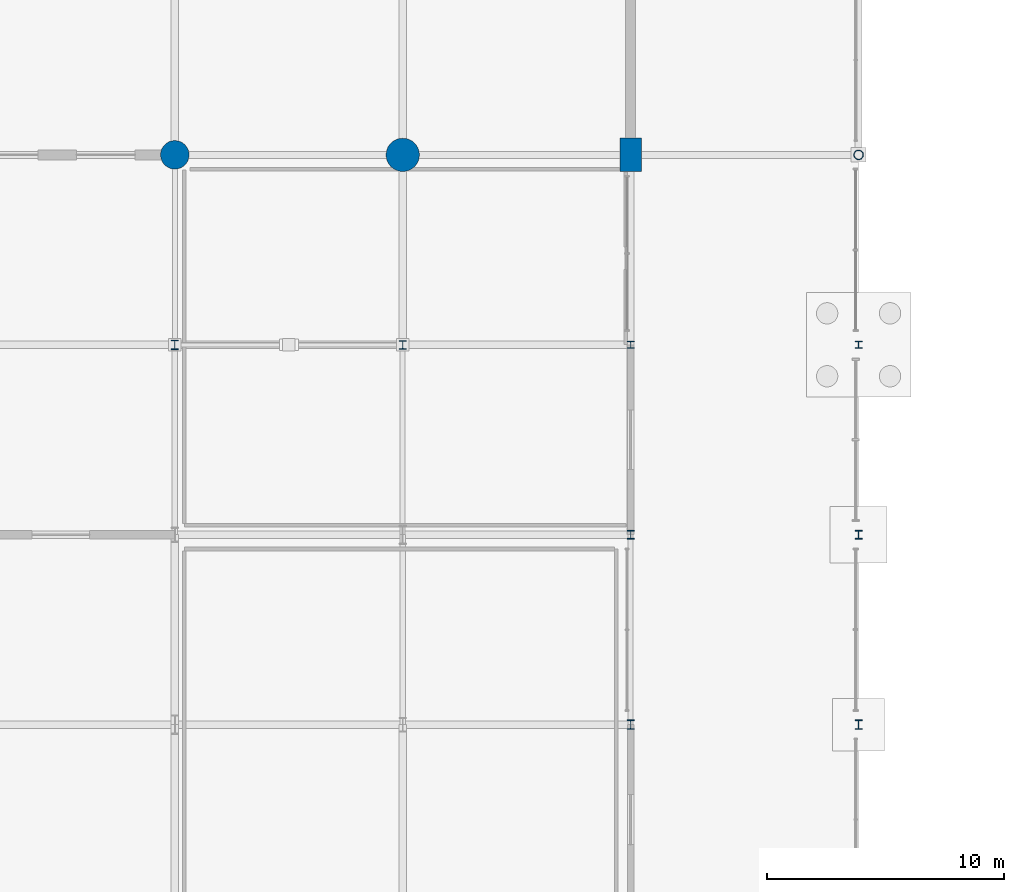
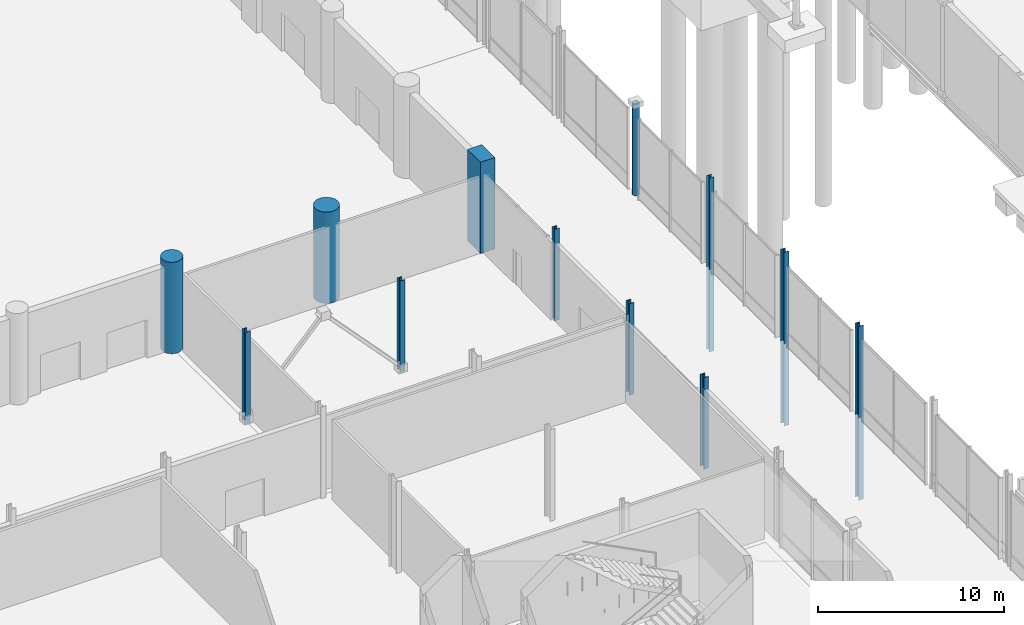
# One storey, part 13 of 124: 12 columns.
"""IFC4 building model written with IfcOpenShell, lengths in metres."""

from ifc_helpers import new_model, si_unit, direction, frame, origin, origin_2d, place, context, subcontext, project, spatial, rectangle, circle, hollow_circle, i_section, extrude, material, material_profile, profile_set, type_object, element, save


model = new_model("IFC4")

# Units and contexts
model_context = context("Model", 3, precision=1e-05, world=origin(), true_north=direction((0.0, 1.0)))
body_context = subcontext(model_context, "Body", "Model", "MODEL_VIEW")
ifc_project = project(units=[si_unit("LENGTHUNIT", "METRE"), si_unit("AREAUNIT", "SQUARE_METRE"), si_unit("VOLUMEUNIT", "CUBIC_METRE"), si_unit("PLANEANGLEUNIT", "RADIAN"), si_unit("MASSUNIT", "GRAM", prefix="KILO")], contexts=[model_context])

# Site, building, storey
site_placement = place(None, origin())
site = spatial("IfcSite", under=ifc_project, at=site_placement, CompositionType="ELEMENT")
building_placement = place(site_placement, origin())
building = spatial("IfcBuilding", under=site, at=building_placement, Name="Danafjord Basin Convention Centre", CompositionType="ELEMENT")
storey_placement = place(building_placement, origin())
storey = spatial("IfcBuildingStorey", under=building, at=storey_placement, Name="L00", CompositionType="ELEMENT", Elevation=0.0)

# Columns
ifc_material_1 = material(Name="Steel S355", Category="steel")
ifc_material_profile_1 = material_profile(ifc_material_1, hollow_circle(Radius=0.203125, WallThickness=0.02001953125, at=origin_2d()), Name="CHS 406.4x20.0")
ifc_profile_set_1 = profile_set([ifc_material_profile_1], Name="Steel S355")
column_type_1 = type_object("IfcColumnType", Name="COL-C-CHS406", PredefinedType="COLUMN", material=ifc_profile_set_1)
column_1_placement = place(storey_placement, frame((124.800048828125, 56.0, 0.0), z_axis=(0.0, 0.0, 1.0), x_axis=(1.0, 0.0, 0.0)))
element("IfcColumn", 1, at=column_1_placement, inside=storey, type_object=column_type_1, Name="L00 column C-CHS406 at (124.8, 56.0)", PredefinedType="COLUMN", context=body_context, shape_type="SweptSolid", body=[
    extrude(hollow_circle(Radius=0.203125, WallThickness=0.02001953125, at=origin_2d()), origin(), (0.0, 0.0, 1.0), 6.0),
])
ifc_material_profile_2 = material_profile(ifc_material_1, i_section(OverallWidth=0.300048828125, OverallDepth=0.300048828125, WebThickness=0.010986328125, FlangeThickness=0.01904296875, FilletRadius=0.027099609375, at=origin_2d()), Name="HEB 300")
ifc_profile_set_2 = profile_set([ifc_material_profile_2], Name="Steel S355")
column_type_2 = type_object("IfcColumnType", Name="COL-C-HEB300", PredefinedType="COLUMN", material=ifc_profile_set_2)
column_2_placement = place(storey_placement, frame((115.199951171875, 48.0, 0.0), z_axis=(0.0, 0.0, 1.0), x_axis=(1.0, 0.0, 0.0)))
element("IfcColumn", 2, at=column_2_placement, inside=storey, type_object=column_type_2, Name="L00 column C-HEB300 at (115.2, 48.0)", PredefinedType="COLUMN", context=body_context, shape_type="SweptSolid", body=[
    extrude(i_section(OverallWidth=0.300048828125, OverallDepth=0.300048828125, WebThickness=0.010986328125, FlangeThickness=0.01904296875, FilletRadius=0.027099609375, at=origin_2d()), origin(), (0.0, 0.0, 1.0), 6.0),
])
column_3_placement = place(storey_placement, frame((124.800048828125, 48.0, -5.39990234375), z_axis=(0.0, 0.0, 1.0), x_axis=(1.0, 0.0, 0.0)))
element("IfcColumn", 3, at=column_3_placement, inside=storey, type_object=column_type_2, Name="L00 column C-HEB300 at (124.8, 48.0)", PredefinedType="COLUMN", context=body_context, shape_type="SweptSolid", body=[
    extrude(i_section(OverallWidth=0.300048828125, OverallDepth=0.300048828125, WebThickness=0.010986328125, FlangeThickness=0.01904296875, FilletRadius=0.027099609375, at=origin_2d()), origin(), (0.0, 0.0, 1.0), 11.39990234375),
])
ifc_material_profile_3 = material_profile(ifc_material_1, i_section(OverallWidth=0.300048828125, OverallDepth=0.360107421875, WebThickness=0.012451171875, FlangeThickness=0.0224609375, FilletRadius=0.027099609375, at=origin_2d()), Name="HEB 360")
ifc_profile_set_3 = profile_set([ifc_material_profile_3], Name="Steel S355")
column_type_3 = type_object("IfcColumnType", Name="COL-C-HEB360", PredefinedType="COLUMN", material=ifc_profile_set_3)
for number, where, z_axis, x_axis, name in (
    (4, (105.60009765625, 48.0, 0.0), (0.0, 0.0, 1.0), (1.0, 0.0, 0.0), "L00 column C-HEB360 at (105.6, 48.0)"),
    (5, (115.199951171875, 40.0, 0.0), (0.0, 0.0, 1.0), (1.0, 0.0, 0.0), "L00 column C-HEB360 at (115.2, 40.0)"),
):
    element("IfcColumn", number, at=place(storey_placement, frame(where, z_axis=z_axis, x_axis=x_axis)), inside=storey, type_object=column_type_3, Name=name, PredefinedType="COLUMN", context=body_context, shape_type="SweptSolid", body=[
        extrude(i_section(OverallWidth=0.300048828125, OverallDepth=0.360107421875, WebThickness=0.012451171875, FlangeThickness=0.0224609375, FilletRadius=0.027099609375, at=origin_2d()), origin(), (0.0, 0.0, 1.0), 6.0),
    ])
column_4_placement = place(storey_placement, frame((124.800048828125, 40.0, -5.39990234375), z_axis=(0.0, 0.0, 1.0), x_axis=(1.0, 0.0, 0.0)))
element("IfcColumn", 6, at=column_4_placement, inside=storey, type_object=column_type_3, Name="L00 column C-HEB360 at (124.8, 40.0)", PredefinedType="COLUMN", context=body_context, shape_type="SweptSolid", body=[
    extrude(i_section(OverallWidth=0.300048828125, OverallDepth=0.360107421875, WebThickness=0.012451171875, FlangeThickness=0.0224609375, FilletRadius=0.027099609375, at=origin_2d()), origin(), (0.0, 0.0, 1.0), 11.39990234375),
])
ifc_material_profile_4 = material_profile(ifc_material_1, i_section(OverallWidth=0.300048828125, OverallDepth=0.39990234375, WebThickness=0.013427734375, FlangeThickness=0.02392578125, FilletRadius=0.027099609375, at=origin_2d()), Name="HEB 400")
ifc_profile_set_4 = profile_set([ifc_material_profile_4], Name="Steel S355")
column_type_4 = type_object("IfcColumnType", Name="COL-C-HEB400", PredefinedType="COLUMN", material=ifc_profile_set_4)
for number, where, z_axis, x_axis, name in (
    (7, (96.0, 48.0, 0.0), (0.0, 0.0, 1.0), (1.0, 0.0, 0.0), "L00 column C-HEB400 at (96.0, 48.0)"),
    (8, (115.199951171875, 32.0, 0.0), (0.0, 0.0, 1.0), (1.0, 0.0, 0.0), "L00 column C-HEB400 at (115.2, 32.0)"),
):
    element("IfcColumn", number, at=place(storey_placement, frame(where, z_axis=z_axis, x_axis=x_axis)), inside=storey, type_object=column_type_4, Name=name, PredefinedType="COLUMN", context=body_context, shape_type="SweptSolid", body=[
        extrude(i_section(OverallWidth=0.300048828125, OverallDepth=0.39990234375, WebThickness=0.013427734375, FlangeThickness=0.02392578125, FilletRadius=0.027099609375, at=origin_2d()), origin(), (0.0, 0.0, 1.0), 6.0),
    ])
column_5_placement = place(storey_placement, frame((124.800048828125, 32.0, -5.39990234375), z_axis=(0.0, 0.0, 1.0), x_axis=(1.0, 0.0, 0.0)))
element("IfcColumn", 9, at=column_5_placement, inside=storey, type_object=column_type_4, Name="L00 column C-HEB400 at (124.8, 32.0)", PredefinedType="COLUMN", context=body_context, shape_type="SweptSolid", body=[
    extrude(i_section(OverallWidth=0.300048828125, OverallDepth=0.39990234375, WebThickness=0.013427734375, FlangeThickness=0.02392578125, FilletRadius=0.027099609375, at=origin_2d()), origin(), (0.0, 0.0, 1.0), 11.39990234375),
])
ifc_material_2 = material(Name="Concrete C50/60", Category="concrete")
ifc_material_profile_5 = material_profile(ifc_material_2, rectangle(XDim=0.89990234375, YDim=1.39990234375, at=origin_2d()), Name="RC 1400x900")
ifc_profile_set_5 = profile_set([ifc_material_profile_5], Name="Concrete C50/60")
column_type_5 = type_object("IfcColumnType", Name="COL-C-RC1400", PredefinedType="COLUMN", material=ifc_profile_set_5)
column_6_placement = place(storey_placement, frame((115.199951171875, 56.0, 0.0), z_axis=(0.0, 0.0, 1.0), x_axis=(1.0, 0.0, 0.0)))
element("IfcColumn", 10, at=column_6_placement, inside=storey, type_object=column_type_5, Name="L00 column C-RC1400 at (115.2, 56.0)", PredefinedType="COLUMN", context=body_context, shape_type="SweptSolid", body=[
    extrude(rectangle(XDim=0.89990234375, YDim=1.39990234375, at=origin_2d()), origin(), (0.0, 0.0, 1.0), 6.0),
])
ifc_material_profile_6 = material_profile(ifc_material_2, circle(Radius=0.60009765625, at=origin_2d()), Name="RC D1200")
ifc_profile_set_6 = profile_set([ifc_material_profile_6], Name="Concrete C50/60")
column_type_6 = type_object("IfcColumnType", Name="COL-C-RCD1200", PredefinedType="COLUMN", material=ifc_profile_set_6)
column_7_placement = place(storey_placement, frame((96.0, 56.0, 0.0), z_axis=(0.0, 0.0, 1.0), x_axis=(1.0, 0.0, 0.0)))
element("IfcColumn", 11, at=column_7_placement, inside=storey, type_object=column_type_6, Name="L00 column C-RCD1200 at (96.0, 56.0)", PredefinedType="COLUMN", context=body_context, shape_type="SweptSolid", body=[
    extrude(circle(Radius=0.60009765625, at=origin_2d()), origin(), (0.0, 0.0, 1.0), 6.0),
])
ifc_material_profile_7 = material_profile(ifc_material_2, circle(Radius=0.699951171875, at=origin_2d()), Name="RC D1400")
ifc_profile_set_7 = profile_set([ifc_material_profile_7], Name="Concrete C50/60")
column_type_7 = type_object("IfcColumnType", Name="COL-C-RCD1400", PredefinedType="COLUMN", material=ifc_profile_set_7)
column_8_placement = place(storey_placement, frame((105.60009765625, 56.0, 0.0), z_axis=(0.0, 0.0, 1.0), x_axis=(1.0, 0.0, 0.0)))
element("IfcColumn", 12, at=column_8_placement, inside=storey, type_object=column_type_7, Name="L00 column C-RCD1400 at (105.6, 56.0)", PredefinedType="COLUMN", context=body_context, shape_type="SweptSolid", body=[
    extrude(circle(Radius=0.699951171875, at=origin_2d()), origin(), (0.0, 0.0, 1.0), 6.0),
])

save(model, "model.ifc")
